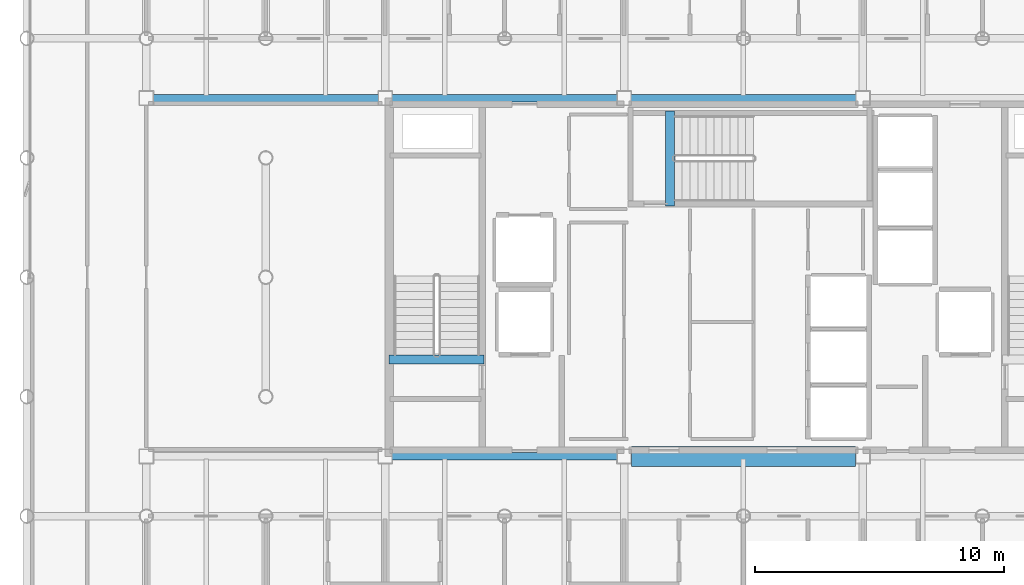
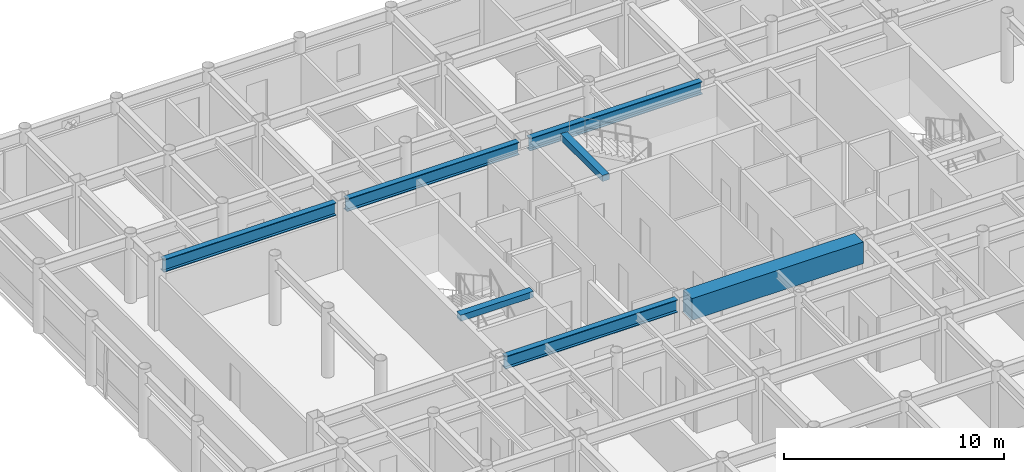
# One storey, part 7 of 23: 7 beams.
"""IFC4 building model written with IfcOpenShell, lengths in metres."""

import ifcopenshell
import ifcopenshell.guid

model = None  # the IFC model being written
_history = None  # IfcOwnerHistory: only IFC2X3 demands one
_inside = {}  # id of a spatial element -> (the spatial element, [elements in it])
_under = {}  # id of a project, library or spatial element -> (it, [spatial elements below it])
_declared = {}  # id of a project -> (the project, [libraries it declares])
_typed = {}  # id of a type object -> (the type object, [elements of that type])
_made_of = {}  # id of a material, layer set ... -> (it, [elements and type objects made of it])


def new_model(schema):
    """Start an empty IFC model of exactly this schema.

    Asked for "IFC4X3", IfcOpenShell would pick the latest addendum, in which some entities
    have other attributes; the version numbers below select the first issue.
    IFC2X3 requires an IfcOwnerHistory on every rooted entity: one is made here for all.
    """
    global model, _history
    if schema == "IFC4X3":
        model = ifcopenshell.file(schema_version=(4, 3, 0, 0))
    else:
        model = ifcopenshell.file(schema=schema)
    _inside.clear()
    _under.clear()
    _declared.clear()
    _typed.clear()
    _made_of.clear()
    _history = None
    if model.schema == "IFC2X3":
        org = make("IfcOrganization", Name="unknown")
        user = make(
            "IfcPersonAndOrganization",
            ThePerson=make("IfcPerson", FamilyName="unknown"),
            TheOrganization=org,
        )
        app = make(
            "IfcApplication",
            ApplicationDeveloper=org,
            Version="unknown",
            ApplicationFullName="unknown",
            ApplicationIdentifier="unknown",
        )
        _history = make(
            "IfcOwnerHistory",
            OwningUser=user,
            OwningApplication=app,
            ChangeAction="ADDED",
            CreationDate=0,
        )
    return model


def make(cls, **values):
    """One entity of the class cls with the attributes given. An attribute that is None is left unset."""
    return model.create_entity(
        cls, **{name: value for name, value in values.items() if value is not None}
    )


def rooted(cls, **values):
    """An entity with a GlobalId (a new one), such as an element, a storey or a relation."""
    return make(cls, GlobalId=ifcopenshell.guid.new(), OwnerHistory=_history, **values)


def si_unit(unit_type, name, prefix=None):
    """IfcSIUnit, for example si_unit("LENGTHUNIT", "METRE", prefix="MILLI")."""
    return make("IfcSIUnit", UnitType=unit_type, Prefix=prefix, Name=name)


def assignment(units):
    """IfcUnitAssignment: the units of a project."""
    return None if units is None else make("IfcUnitAssignment", Units=units)


def point(xyz):
    """IfcCartesianPoint."""
    return None if xyz is None else make("IfcCartesianPoint", Coordinates=xyz)


def direction(xyz):
    """IfcDirection."""
    return None if xyz is None else make("IfcDirection", DirectionRatios=xyz)


def frame(location, z_axis=None, x_axis=None):
    """IfcAxis2Placement3D, a coordinate frame: its origin and axes. An axis left out is left unset."""
    return make(
        "IfcAxis2Placement3D",
        Location=point(location),
        Axis=direction(z_axis),
        RefDirection=direction(x_axis),
    )


def frame_2d(location, x_axis=None):
    """IfcAxis2Placement2D, a coordinate frame in the plane: its origin and x axis."""
    return make(
        "IfcAxis2Placement2D", Location=point(location), RefDirection=direction(x_axis)
    )


def origin():
    """The frame at (0, 0, 0) with its axes left unset."""
    return frame((0.0, 0.0, 0.0))


def origin_2d():
    """The frame at (0, 0) in the plane with its x axis left unset."""
    return frame_2d((0.0, 0.0))


def place(relative_to, where):
    """IfcLocalPlacement: puts the frame where relative to a parent placement (None: the world)."""
    return make(
        "IfcLocalPlacement", PlacementRelTo=relative_to, RelativePlacement=where
    )


def context(
    kind, dimensions, precision=None, world=None, true_north=None, identifier=None
):
    """IfcGeometricRepresentationContext, for example the 3D "Model" context."""
    return make(
        "IfcGeometricRepresentationContext",
        ContextIdentifier=identifier,
        ContextType=kind,
        CoordinateSpaceDimension=dimensions,
        Precision=precision,
        WorldCoordinateSystem=world,
        TrueNorth=true_north,
    )


def subcontext(parent, identifier, kind, view, scale=None):
    """IfcGeometricRepresentationSubContext, for example "Body" below "Model"."""
    return make(
        "IfcGeometricRepresentationSubContext",
        ContextIdentifier=identifier,
        ContextType=kind,
        ParentContext=parent,
        TargetScale=scale,
        TargetView=view,
    )


def project(units=None, contexts=None):
    """IfcProject with its units and contexts."""
    return rooted(
        "IfcProject",
        Name="project",
        RepresentationContexts=contexts,
        UnitsInContext=assignment(units),
    )


def spatial(cls, under=None, at=None, **own):
    """A site, building, storey or space (cls), placed at a placement, below another one or the project."""
    s = rooted(cls, ObjectPlacement=at, **own)
    if under is not None:
        _under.setdefault(under.id(), (under, []))[1].append(s)
    return s


def profile(cls, at=None, kind="AREA", **sizes):
    """A parametric profile (cls). Its sizes go by their IFC names, for example OverallWidth=200.0."""
    return make(cls, ProfileType=kind, Position=at, **sizes)


def rectangle(**sizes):
    """IfcRectangleProfileDef."""
    return profile("IfcRectangleProfileDef", **sizes)


def i_section(**sizes):
    """IfcIShapeProfileDef."""
    return profile("IfcIShapeProfileDef", **sizes)


def extrude(swept, where, along, depth):
    """IfcExtrudedAreaSolid: the profile swept, set in the frame where, extruded along a direction by depth."""
    return make(
        "IfcExtrudedAreaSolid",
        SweptArea=swept,
        Position=where,
        ExtrudedDirection=direction(along),
        Depth=depth,
    )


def shape(context_of_items, identifier, shape_type, items):
    """IfcShapeRepresentation: the items that make up one representation, for example the "Body"."""
    return make(
        "IfcShapeRepresentation",
        ContextOfItems=context_of_items,
        RepresentationIdentifier=identifier,
        RepresentationType=shape_type,
        Items=items,
    )


def material(Name=None, Category=None):
    """IfcMaterial."""
    return make("IfcMaterial", Name=Name, Category=Category)


def material_profile(
    of_material, cross_section, Name=None, Category=None, Priority=None
):
    """IfcMaterialProfile: a cross section and its material."""
    return make(
        "IfcMaterialProfile",
        Name=Name,
        Material=of_material,
        Profile=cross_section,
        Priority=Priority,
        Category=Category,
    )


def profile_set(profiles, Name=None, composite=None):
    """IfcMaterialProfileSet."""
    return make(
        "IfcMaterialProfileSet",
        Name=Name,
        MaterialProfiles=profiles,
        CompositeProfile=composite,
    )


def made_of(thing, what):
    """Note that an element or type object is made of a material, layer set ...; save() writes the relation."""
    if what is not None:
        _made_of.setdefault(what.id(), (what, []))[1].append(thing)
    return thing


def type_object(cls, material=None, **own):
    """A type object (cls), such as IfcWallType, which elements share."""
    return made_of(rooted(cls, **own), material)


def element(
    cls,
    number,
    at=None,
    inside=None,
    cuts=None,
    type_object=None,
    material=None,
    context=None,
    identifier="Body",
    shape_type=None,
    held_by="IfcProductDefinitionShape",
    body=None,
    shapes=None,
    **own,
):
    """One element of the class cls, such as IfcWall. Its Tag is "e" and its number.

    at: its placement. inside: the storey or other place that contains it. cuts: it is an
    opening in that element (IfcRelVoidsElement). A single representation is given by context,
    identifier, shape_type and body (its items); several are given by shapes. held_by: the class
    of the entity that holds the representations. save() writes the other relations.
    """
    e = rooted(cls, Tag="e%d" % number, ObjectPlacement=at, **own)
    if body is not None:
        shapes = [shape(context, identifier, shape_type, body)]
    if shapes is not None:
        e.Representation = make(held_by, Representations=shapes)
    if inside is not None:
        _inside.setdefault(inside.id(), (inside, []))[1].append(e)
    if cuts is not None:
        rooted(
            "IfcRelVoidsElement", RelatingBuildingElement=cuts, RelatedOpeningElement=e
        )
    if type_object is not None:
        _typed.setdefault(type_object.id(), (type_object, []))[1].append(e)
    return made_of(e, material)


def aggregate(whole, parts):
    """IfcRelAggregates: a whole, such as a stair, and the parts it consists of."""
    return rooted("IfcRelAggregates", RelatingObject=whole, RelatedObjects=parts)


def save(model, path):
    """Write the relations noted so far, then the file.

    IfcRelAggregates (storeys below a building ...), IfcRelContainedInSpatialStructure (elements
    in a storey), IfcRelDefinesByType, IfcRelAssociatesMaterial and IfcRelDeclares: one each for
    every whole, place, type object, material and project.
    """
    for whole, parts in _under.values():
        aggregate(whole, parts)
    for where, things in _inside.values():
        rooted(
            "IfcRelContainedInSpatialStructure",
            RelatedElements=things,
            RelatingStructure=where,
        )
    for kind, things in _typed.values():
        rooted("IfcRelDefinesByType", RelatedObjects=things, RelatingType=kind)
    for what, things in _made_of.values():
        rooted("IfcRelAssociatesMaterial", RelatedObjects=things, RelatingMaterial=what)
    for by, libraries in _declared.values():
        rooted("IfcRelDeclares", RelatingContext=by, RelatedDefinitions=libraries)
    model.write(path)


model = new_model("IFC4")

# Units and contexts
model_context = context("Model", 3, precision=1e-05, world=origin(), true_north=direction((0.0, 1.0)))
body_context = subcontext(model_context, "Body", "Model", "MODEL_VIEW")
ifc_project = project(units=[si_unit("LENGTHUNIT", "METRE"), si_unit("AREAUNIT", "SQUARE_METRE"), si_unit("VOLUMEUNIT", "CUBIC_METRE"), si_unit("PLANEANGLEUNIT", "RADIAN"), si_unit("MASSUNIT", "GRAM", prefix="KILO")], contexts=[model_context])

# Site, building, storey
site_placement = place(None, origin())
site = spatial("IfcSite", under=ifc_project, at=site_placement, CompositionType="ELEMENT")
building_placement = place(site_placement, origin())
building = spatial("IfcBuilding", under=site, at=building_placement, Name="Kallvorn Hotel Tower", CompositionType="ELEMENT")
storey_placement = place(building_placement, frame((0.0, 0.0, 195.35009765625)))
storey = spatial("IfcBuildingStorey", under=building, at=storey_placement, Name="L48", CompositionType="ELEMENT", Elevation=195.35009765625)

# Beams
ifc_material_1 = material(Name="Structural steel S355JR", Category="steel")
ifc_material_profile_1 = material_profile(ifc_material_1, i_section(OverallWidth=0.300048828125, OverallDepth=0.699951171875, WebThickness=0.01708984375, FlangeThickness=0.031982421875, at=origin_2d()), Name="HE 700 B")
ifc_profile_set_1 = profile_set([ifc_material_profile_1], Name="Structural steel S355JR")
beam_type_1 = type_object("IfcBeamType", Name="BM_HE700B", PredefinedType="BEAM", material=ifc_profile_set_1)
for number, where, z_axis, x_axis, name in (
    (1, (-14.125, -7.199951171875, 3.31982421875), (1.0, 0.0, 0.0), (0.0, 1.0, 0.0), "L49 Primary X-Girder 34"),
    (2, (-23.72509765625, 7.199951171875, 3.31982421875), (1.0, 0.0, 0.0), (0.0, 1.0, 0.0), "L49 Primary X-Girder 37"),
    (3, (-14.125, 7.199951171875, 3.31982421875), (1.0, 0.0, 0.0), (0.0, 1.0, 0.0), "L49 Primary X-Girder 38"),
):
    element("IfcBeam", number, at=place(storey_placement, frame(where, z_axis=z_axis, x_axis=x_axis)), inside=storey, type_object=beam_type_1, Name=name, PredefinedType="BEAM", context=body_context, shape_type="SweptSolid", body=[
        extrude(i_section(OverallWidth=0.300048828125, OverallDepth=0.699951171875, WebThickness=0.01708984375, FlangeThickness=0.031982421875, at=origin_2d()), origin(), (0.0, 0.0, 1.0), 9.050048828125),
    ])
beam_1_placement = place(storey_placement, frame((-4.52490234375, 7.199951171875, 3.31982421875), z_axis=(1.0, 0.0, 0.0), x_axis=(0.0, 1.0, 0.0)))
element("IfcBeam", 4, at=beam_1_placement, inside=storey, type_object=beam_type_1, Name="L49 Primary X-Girder 39", PredefinedType="BEAM", context=body_context, shape_type="SweptSolid", body=[
    extrude(i_section(OverallWidth=0.300048828125, OverallDepth=0.699951171875, WebThickness=0.01708984375, FlangeThickness=0.031982421875, at=origin_2d()), origin(), (0.0, 0.0, 1.0), 9.0498046875),
])
ifc_material_2 = material(Name="Concrete C50/60", Category="concrete")
ifc_material_profile_2 = material_profile(ifc_material_2, rectangle(XDim=0.360107421875, YDim=0.340087890625, at=origin_2d()), Name="RC 360x340")
ifc_profile_set_2 = profile_set([ifc_material_profile_2], Name="Concrete C50/60")
beam_type_2 = type_object("IfcBeamType", Name="BM_RC_400x360", PredefinedType="BEAM", material=ifc_profile_set_2)
beam_2_placement = place(storey_placement, frame((-10.419921875, -3.31005859375, 3.5), z_axis=(-1.0, 0.0, 0.0), x_axis=(0.0, -1.0, 0.0)))
element("IfcBeam", 5, at=beam_2_placement, inside=storey, type_object=beam_type_2, Name="L49 Stair ST1 Arrival Trimmer Beam", PredefinedType="BEAM", context=body_context, shape_type="SweptSolid", body=[
    extrude(rectangle(XDim=0.360107421875, YDim=0.340087890625, at=origin_2d()), origin(), (0.0, 0.0, 1.0), 3.820068359375),
])
beam_3_placement = place(storey_placement, frame((-2.9599609375, 2.8701171875, 3.5), z_axis=(0.0, 1.0, 0.0), x_axis=(-1.0, 0.0, 0.0)))
element("IfcBeam", 6, at=beam_3_placement, inside=storey, type_object=beam_type_2, Name="L49 Stair ST3 Arrival Trimmer Beam", PredefinedType="BEAM", context=body_context, shape_type="SweptSolid", body=[
    extrude(rectangle(XDim=0.360107421875, YDim=0.340087890625, at=origin_2d()), origin(), (0.0, 0.0, 1.0), 3.81982421875),
])
ifc_material_3 = material(Name="Concrete C50/60", Category="concrete")
ifc_material_profile_3 = material_profile(ifc_material_3, rectangle(XDim=0.800048828125, YDim=1.199951171875, at=origin_2d()), Name="RC 800x1200")
ifc_profile_set_3 = profile_set([ifc_material_profile_3], Name="Concrete C50/60")
beam_type_3 = type_object("IfcBeamType", Name="BM_RC_800x1200", PredefinedType="T_BEAM", material=ifc_profile_set_3)
beam_4_placement = place(storey_placement, frame((-4.5, -7.199951171875, 3.06982421875), z_axis=(1.0, 0.0, 0.0), x_axis=(0.0, 1.0, 0.0)))
element("IfcBeam", 7, at=beam_4_placement, inside=storey, type_object=beam_type_3, Name="L48 Core Coupling Beam South", PredefinedType="T_BEAM", context=body_context, shape_type="SweptSolid", body=[
    extrude(rectangle(XDim=0.800048828125, YDim=1.199951171875, at=origin_2d()), origin(), (0.0, 0.0, 1.0), 9.0),
])

save(model, "model.ifc")
